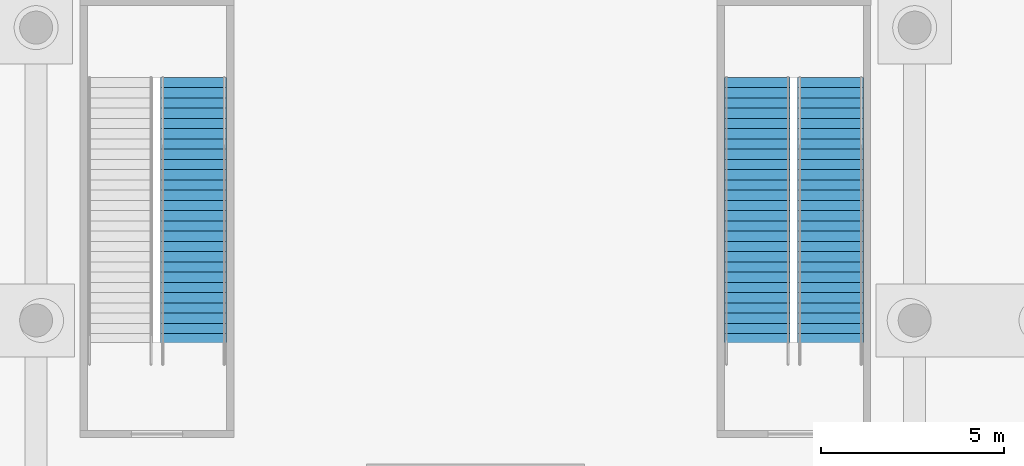
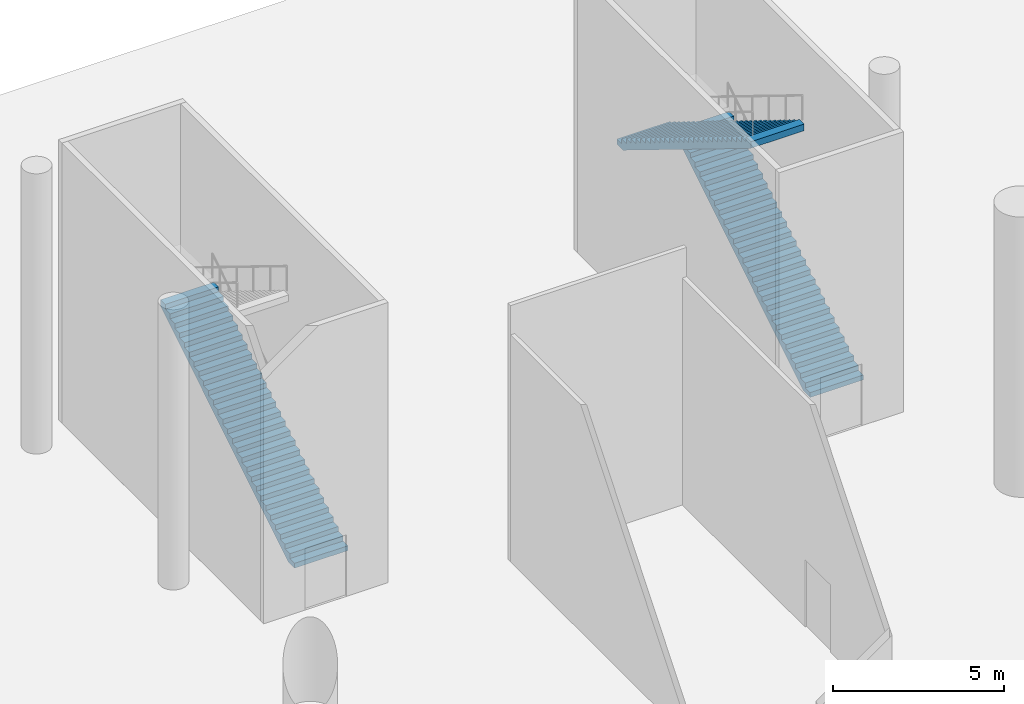
# One storey, part 10 of 14: 3 stair flights, 2 elements without a shape of their own.
"""IFC4 building model written with IfcOpenShell, lengths in metres."""

from ifc_helpers import new_model, si_unit, direction, frame, origin, place, context, subcontext, project, spatial, polyline, outline, extrude, material, type_object, element, aggregate, save


model = new_model("IFC4")

# Units and contexts
model_context = context("Model", 3, precision=1e-05, world=origin(), true_north=direction((0.0, 1.0)))
body_context = subcontext(model_context, "Body", "Model", "MODEL_VIEW")
ifc_project = project(units=[si_unit("LENGTHUNIT", "METRE"), si_unit("AREAUNIT", "SQUARE_METRE"), si_unit("VOLUMEUNIT", "CUBIC_METRE"), si_unit("PLANEANGLEUNIT", "RADIAN"), si_unit("MASSUNIT", "GRAM", prefix="KILO")], contexts=[model_context])

# Site, building, storey
site_placement = place(None, origin())
site = spatial("IfcSite", under=ifc_project, at=site_placement, CompositionType="ELEMENT")
building_placement = place(site_placement, origin())
building = spatial("IfcBuilding", under=site, at=building_placement, Name="Crosswind Convention Tower", CompositionType="ELEMENT")
storey_placement = place(building_placement, origin())
storey = spatial("IfcBuildingStorey", under=building, at=storey_placement, Name="L00", CompositionType="ELEMENT", Elevation=0.0)

# Stair, stair flight
ifc_material = material(Name="Concrete C40/50", Category="concrete")
stair_type = type_object("IfcStairType", Name="PODIUM EXIT STAIR 10000 RISE", PredefinedType="HALF_TURN_STAIR", material=ifc_material)
stair_1_placement = place(storey_placement, origin())
stair_1 = element("IfcStair", 1, at=stair_1_placement, inside=storey, type_object=stair_type, Name="Exit stair N1 L00", ObjectType="ST10", PredefinedType="HALF_TURN_STAIR")
stair_flight_type = type_object("IfcStairFlightType", Name="PODIUM STAIR FLIGHT 29 RISERS", PredefinedType="STRAIGHT", material=ifc_material)
stair_flight_1_placement = place(storey_placement, frame((117.300048828125, 134.800048828125, 0.0), z_axis=(0.0, 0.0, 1.0), x_axis=(0.0, 1.0, 0.0)))
stair_flight_1 = element("IfcStairFlight", 2, at=stair_flight_1_placement, type_object=stair_flight_type, Name="ST10 flight 1", NumberOfRisers=29, NumberOfTreads=28, PredefinedType="STRAIGHT", RiserHeight=0.172414, TreadLength=0.28, context=body_context, shape_type="SweptSolid", body=[
    extrude(outline(polyline([(0.0, 0.0), (0.0, 0.17236328125), (0.280029296875, 0.17236328125), (0.280029296875, 0.3447265625), (0.56005859375, 0.3447265625), (0.56005859375, 0.517333984375), (0.840087890625, 0.517333984375), (0.840087890625, 0.689697265625), (1.1201171875, 0.689697265625), (1.1201171875, 0.862060546875), (1.39990234375, 0.862060546875), (1.39990234375, 1.034423828125), (1.679931640625, 1.034423828125), (1.679931640625, 1.206787109375), (1.9599609375, 1.206787109375), (1.9599609375, 1.37939453125), (2.239990234375, 1.37939453125), (2.239990234375, 1.5517578125), (2.52001953125, 1.5517578125), (2.52001953125, 1.72412109375), (2.800048828125, 1.72412109375), (2.800048828125, 1.896484375), (3.080078125, 1.896484375), (3.080078125, 2.06884765625), (3.360107421875, 2.06884765625), (3.360107421875, 2.241455078125), (3.639892578125, 2.241455078125), (3.639892578125, 2.413818359375), (3.919921875, 2.413818359375), (3.919921875, 2.586181640625), (4.199951171875, 2.586181640625), (4.199951171875, 2.758544921875), (4.47998046875, 2.758544921875), (4.47998046875, 2.93115234375), (4.760009765625, 2.93115234375), (4.760009765625, 3.103515625), (5.0400390625, 3.103515625), (5.0400390625, 3.27587890625), (5.320068359375, 3.27587890625), (5.320068359375, 3.4482421875), (5.60009765625, 3.4482421875), (5.60009765625, 3.62060546875), (5.8798828125, 3.62060546875), (5.8798828125, 3.793212890625), (6.159912109375, 3.793212890625), (6.159912109375, 3.965576171875), (6.43994140625, 3.965576171875), (6.43994140625, 4.137939453125), (6.719970703125, 4.137939453125), (6.719970703125, 4.310302734375), (7.0, 4.310302734375), (7.0, 4.482666015625), (7.280029296875, 4.482666015625), (7.280029296875, 4.6552734375), (7.56005859375, 4.6552734375), (7.56005859375, 4.82763671875), (7.840087890625, 4.82763671875), (7.840087890625, 5.0), (7.840087890625, 4.5927734375), (0.38134765625, 0.0), (0.0, 0.0)])), frame((0.0, 0.89990234375, 0.0), z_axis=(0.0, -1.0, 0.0), x_axis=(1.0, 0.0, 0.0)), (0.0, 0.0, 1.0), 1.800048828125),
])
aggregate(stair_1, [stair_flight_1])

# Stair, stair flights
stair_2_placement = place(storey_placement, origin())
stair_2 = element("IfcStair", 3, at=stair_2_placement, inside=storey, type_object=stair_type, Name="Exit stair N2 L00", ObjectType="ST10", PredefinedType="HALF_TURN_STAIR")
stair_flight_2_placement = place(storey_placement, frame((134.699951171875, 134.800048828125, 0.0), z_axis=(0.0, 0.0, 1.0), x_axis=(0.0, 1.0, 0.0)))
stair_flight_2 = element("IfcStairFlight", 4, at=stair_flight_2_placement, type_object=stair_flight_type, Name="ST10 flight 1", NumberOfRisers=29, NumberOfTreads=28, PredefinedType="STRAIGHT", RiserHeight=0.172414, TreadLength=0.28, context=body_context, shape_type="SweptSolid", body=[
    extrude(outline(polyline([(0.0, 0.0), (0.0, 0.17236328125), (0.280029296875, 0.17236328125), (0.280029296875, 0.3447265625), (0.56005859375, 0.3447265625), (0.56005859375, 0.517333984375), (0.840087890625, 0.517333984375), (0.840087890625, 0.689697265625), (1.1201171875, 0.689697265625), (1.1201171875, 0.862060546875), (1.39990234375, 0.862060546875), (1.39990234375, 1.034423828125), (1.679931640625, 1.034423828125), (1.679931640625, 1.206787109375), (1.9599609375, 1.206787109375), (1.9599609375, 1.37939453125), (2.239990234375, 1.37939453125), (2.239990234375, 1.5517578125), (2.52001953125, 1.5517578125), (2.52001953125, 1.72412109375), (2.800048828125, 1.72412109375), (2.800048828125, 1.896484375), (3.080078125, 1.896484375), (3.080078125, 2.06884765625), (3.360107421875, 2.06884765625), (3.360107421875, 2.241455078125), (3.639892578125, 2.241455078125), (3.639892578125, 2.413818359375), (3.919921875, 2.413818359375), (3.919921875, 2.586181640625), (4.199951171875, 2.586181640625), (4.199951171875, 2.758544921875), (4.47998046875, 2.758544921875), (4.47998046875, 2.93115234375), (4.760009765625, 2.93115234375), (4.760009765625, 3.103515625), (5.0400390625, 3.103515625), (5.0400390625, 3.27587890625), (5.320068359375, 3.27587890625), (5.320068359375, 3.4482421875), (5.60009765625, 3.4482421875), (5.60009765625, 3.62060546875), (5.8798828125, 3.62060546875), (5.8798828125, 3.793212890625), (6.159912109375, 3.793212890625), (6.159912109375, 3.965576171875), (6.43994140625, 3.965576171875), (6.43994140625, 4.137939453125), (6.719970703125, 4.137939453125), (6.719970703125, 4.310302734375), (7.0, 4.310302734375), (7.0, 4.482666015625), (7.280029296875, 4.482666015625), (7.280029296875, 4.6552734375), (7.56005859375, 4.6552734375), (7.56005859375, 4.82763671875), (7.840087890625, 4.82763671875), (7.840087890625, 5.0), (7.840087890625, 4.5927734375), (0.38134765625, 0.0), (0.0, 0.0)])), frame((0.0, 0.89990234375, 0.0), z_axis=(0.0, -1.0, 0.0), x_axis=(1.0, 0.0, 0.0)), (0.0, 0.0, 1.0), 1.800048828125),
])
stair_flight_3_placement = place(storey_placement, frame((132.699951171875, 142.639892578125, 5.0), z_axis=(0.0, 0.0, 1.0), x_axis=(0.0, -1.0, 0.0)))
stair_flight_3 = element("IfcStairFlight", 5, at=stair_flight_3_placement, type_object=stair_flight_type, Name="ST10 flight 2", NumberOfRisers=29, NumberOfTreads=28, PredefinedType="STRAIGHT", RiserHeight=0.172414, TreadLength=0.28, context=body_context, shape_type="SweptSolid", body=[
    extrude(outline(polyline([(0.0, 0.0), (0.0, 0.17236328125), (0.280029296875, 0.17236328125), (0.280029296875, 0.3447265625), (0.56005859375, 0.3447265625), (0.56005859375, 0.517333984375), (0.840087890625, 0.517333984375), (0.840087890625, 0.689697265625), (1.1201171875, 0.689697265625), (1.1201171875, 0.862060546875), (1.39990234375, 0.862060546875), (1.39990234375, 1.034423828125), (1.679931640625, 1.034423828125), (1.679931640625, 1.206787109375), (1.9599609375, 1.206787109375), (1.9599609375, 1.37939453125), (2.239990234375, 1.37939453125), (2.239990234375, 1.5517578125), (2.52001953125, 1.5517578125), (2.52001953125, 1.72412109375), (2.800048828125, 1.72412109375), (2.800048828125, 1.896484375), (3.080078125, 1.896484375), (3.080078125, 2.06884765625), (3.360107421875, 2.06884765625), (3.360107421875, 2.241455078125), (3.639892578125, 2.241455078125), (3.639892578125, 2.413818359375), (3.919921875, 2.413818359375), (3.919921875, 2.586181640625), (4.199951171875, 2.586181640625), (4.199951171875, 2.758544921875), (4.47998046875, 2.758544921875), (4.47998046875, 2.93115234375), (4.760009765625, 2.93115234375), (4.760009765625, 3.103515625), (5.0400390625, 3.103515625), (5.0400390625, 3.27587890625), (5.320068359375, 3.27587890625), (5.320068359375, 3.4482421875), (5.60009765625, 3.4482421875), (5.60009765625, 3.62060546875), (5.8798828125, 3.62060546875), (5.8798828125, 3.793212890625), (6.159912109375, 3.793212890625), (6.159912109375, 3.965576171875), (6.43994140625, 3.965576171875), (6.43994140625, 4.137939453125), (6.719970703125, 4.137939453125), (6.719970703125, 4.310302734375), (7.0, 4.310302734375), (7.0, 4.482666015625), (7.280029296875, 4.482666015625), (7.280029296875, 4.6552734375), (7.56005859375, 4.6552734375), (7.56005859375, 4.82763671875), (7.840087890625, 4.82763671875), (7.840087890625, 5.0), (7.840087890625, 4.5927734375), (0.38134765625, 0.0), (0.0, 0.0)])), frame((0.0, 0.89990234375, 0.0), z_axis=(0.0, -1.0, 0.0), x_axis=(1.0, 0.0, 0.0)), (0.0, 0.0, 1.0), 1.800048828125),
])
aggregate(stair_2, [stair_flight_2, stair_flight_3])

save(model, "model.ifc")
